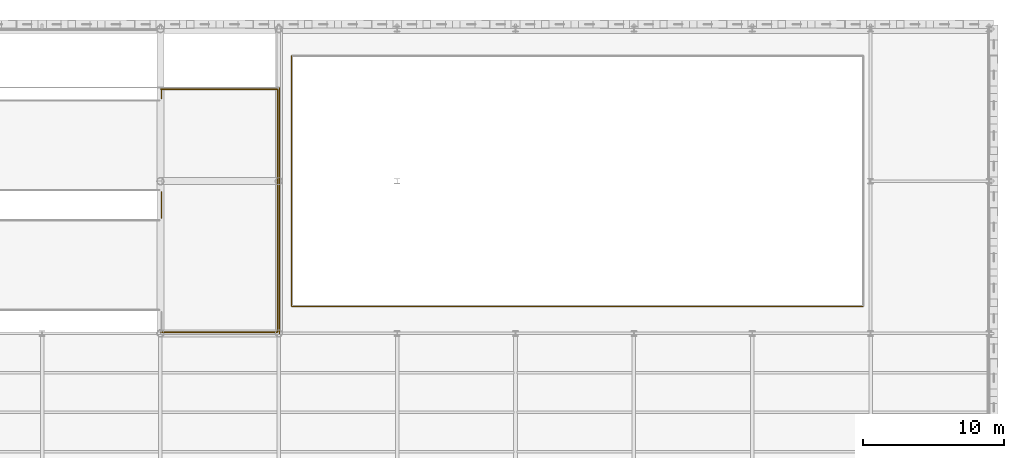
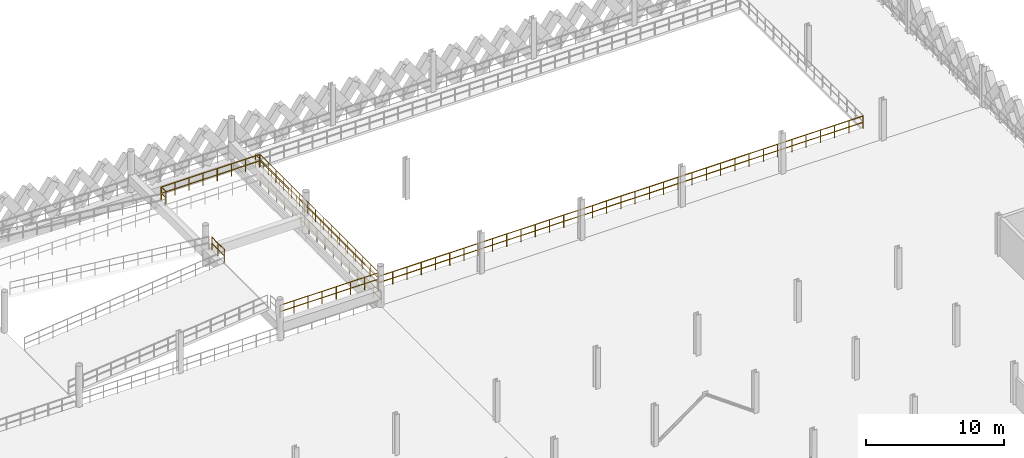
# One storey, part 75 of 79: 8 railings.
"""IFC4 building model written with IfcOpenShell, lengths in metres."""

from ifc_helpers import new_model, si_unit, direction, frame, origin, origin_2d, place, context, subcontext, project, spatial, circle, extrude, material, type_object, element, save


model = new_model("IFC4")

# Units and contexts
model_context = context("Model", 3, precision=1e-05, world=origin(), true_north=direction((0.0, 1.0)))
body_context = subcontext(model_context, "Body", "Model", "MODEL_VIEW")
ifc_project = project(units=[si_unit("LENGTHUNIT", "METRE"), si_unit("AREAUNIT", "SQUARE_METRE"), si_unit("VOLUMEUNIT", "CUBIC_METRE"), si_unit("PLANEANGLEUNIT", "RADIAN"), si_unit("MASSUNIT", "GRAM", prefix="KILO"), si_unit("THERMODYNAMICTEMPERATUREUNIT", "KELVIN"), si_unit("POWERUNIT", "WATT")], contexts=[model_context])

# Site, building, storey
site_placement = place(None, origin())
site = spatial("IfcSite", under=ifc_project, at=site_placement, CompositionType="ELEMENT")
building_placement = place(site_placement, origin())
building = spatial("IfcBuilding", under=site, at=building_placement, Name="Tembeka Court Mobility Hub", CompositionType="ELEMENT")
storey_placement = place(building_placement, frame((0.0, 0.0, 9.0)))
storey = spatial("IfcBuildingStorey", under=building, at=storey_placement, Name="L02", CompositionType="ELEMENT", Elevation=9.0)

# Railings
ifc_material = material(Name="Painted galvanised steel balustrade", Category="steel")
railing_type_1 = type_object("IfcRailingType", Name="RL-GR01", PredefinedType="GUARDRAIL", material=ifc_material)
railing_1_placement = place(storey_placement, frame((42.929931640625, 99.10009765625, 0.0)))
element("IfcRailing", 1, at=railing_1_placement, inside=storey, type_object=railing_type_1, Name="Perimeter guard GR01-0087", PredefinedType="GUARDRAIL", context=body_context, shape_type="SweptSolid", body=[
    extrude(circle(Radius=0.02392578125, at=origin_2d()), frame((0.0, 0.0, 1.09619140625), z_axis=(1.0, 0.0, 0.0), x_axis=(0.0, 1.0, 0.0)), (0.0, 0.0, 1.0), 40.5400390625),
    extrude(circle(Radius=0.02392578125, at=origin_2d()), frame((0.0, 0.0, 0.5361328125), z_axis=(1.0, 0.0, 0.0), x_axis=(0.0, 1.0, 0.0)), (0.0, 0.0, 1.0), 40.5400390625),
    extrude(circle(Radius=0.02099609375, at=origin_2d()), origin(), (0.0, 0.0, 1.0), 1.072021484375),
    extrude(circle(Radius=0.02099609375, at=origin_2d()), frame((1.1923828125, 0.0, 0.0)), (0.0, 0.0, 1.0), 1.072021484375),
    extrude(circle(Radius=0.02099609375, at=origin_2d()), frame((2.384765625, 0.0, 0.0)), (0.0, 0.0, 1.0), 1.072021484375),
    extrude(circle(Radius=0.02099609375, at=origin_2d()), frame((3.5771484375, 0.0, 0.0)), (0.0, 0.0, 1.0), 1.072021484375),
    extrude(circle(Radius=0.02099609375, at=origin_2d()), frame((4.76953125, 0.0, 0.0)), (0.0, 0.0, 1.0), 1.072021484375),
    extrude(circle(Radius=0.02099609375, at=origin_2d()), frame((5.961669921875, 0.0, 0.0)), (0.0, 0.0, 1.0), 1.072021484375),
    extrude(circle(Radius=0.02099609375, at=origin_2d()), frame((7.154052734375, 0.0, 0.0)), (0.0, 0.0, 1.0), 1.072021484375),
    extrude(circle(Radius=0.02099609375, at=origin_2d()), frame((8.346435546875, 0.0, 0.0)), (0.0, 0.0, 1.0), 1.072021484375),
    extrude(circle(Radius=0.02099609375, at=origin_2d()), frame((9.538818359375, 0.0, 0.0)), (0.0, 0.0, 1.0), 1.072021484375),
    extrude(circle(Radius=0.02099609375, at=origin_2d()), frame((10.731201171875, 0.0, 0.0)), (0.0, 0.0, 1.0), 1.072021484375),
    extrude(circle(Radius=0.02099609375, at=origin_2d()), frame((11.923583984375, 0.0, 0.0)), (0.0, 0.0, 1.0), 1.072021484375),
    extrude(circle(Radius=0.02099609375, at=origin_2d()), frame((13.115966796875, 0.0, 0.0)), (0.0, 0.0, 1.0), 1.072021484375),
    extrude(circle(Radius=0.02099609375, at=origin_2d()), frame((14.308349609375, 0.0, 0.0)), (0.0, 0.0, 1.0), 1.072021484375),
    extrude(circle(Radius=0.02099609375, at=origin_2d()), frame((15.50048828125, 0.0, 0.0)), (0.0, 0.0, 1.0), 1.072021484375),
    extrude(circle(Radius=0.02099609375, at=origin_2d()), frame((16.69287109375, 0.0, 0.0)), (0.0, 0.0, 1.0), 1.072021484375),
    extrude(circle(Radius=0.02099609375, at=origin_2d()), frame((17.88525390625, 0.0, 0.0)), (0.0, 0.0, 1.0), 1.072021484375),
    extrude(circle(Radius=0.02099609375, at=origin_2d()), frame((19.07763671875, 0.0, 0.0)), (0.0, 0.0, 1.0), 1.072021484375),
    extrude(circle(Radius=0.02099609375, at=origin_2d()), frame((20.27001953125, 0.0, 0.0)), (0.0, 0.0, 1.0), 1.072021484375),
    extrude(circle(Radius=0.02099609375, at=origin_2d()), frame((21.46240234375, 0.0, 0.0)), (0.0, 0.0, 1.0), 1.072021484375),
    extrude(circle(Radius=0.02099609375, at=origin_2d()), frame((22.65478515625, 0.0, 0.0)), (0.0, 0.0, 1.0), 1.072021484375),
    extrude(circle(Radius=0.02099609375, at=origin_2d()), frame((23.84716796875, 0.0, 0.0)), (0.0, 0.0, 1.0), 1.072021484375),
    extrude(circle(Radius=0.02099609375, at=origin_2d()), frame((25.03955078125, 0.0, 0.0)), (0.0, 0.0, 1.0), 1.072021484375),
    extrude(circle(Radius=0.02099609375, at=origin_2d()), frame((26.231689453125, 0.0, 0.0)), (0.0, 0.0, 1.0), 1.072021484375),
    extrude(circle(Radius=0.02099609375, at=origin_2d()), frame((27.424072265625, 0.0, 0.0)), (0.0, 0.0, 1.0), 1.072021484375),
    extrude(circle(Radius=0.02099609375, at=origin_2d()), frame((28.616455078125, 0.0, 0.0)), (0.0, 0.0, 1.0), 1.072021484375),
    extrude(circle(Radius=0.02099609375, at=origin_2d()), frame((29.808837890625, 0.0, 0.0)), (0.0, 0.0, 1.0), 1.072021484375),
    extrude(circle(Radius=0.02099609375, at=origin_2d()), frame((31.001220703125, 0.0, 0.0)), (0.0, 0.0, 1.0), 1.072021484375),
    extrude(circle(Radius=0.02099609375, at=origin_2d()), frame((32.193603515625, 0.0, 0.0)), (0.0, 0.0, 1.0), 1.072021484375),
    extrude(circle(Radius=0.02099609375, at=origin_2d()), frame((33.385986328125, 0.0, 0.0)), (0.0, 0.0, 1.0), 1.072021484375),
    extrude(circle(Radius=0.02099609375, at=origin_2d()), frame((34.578369140625, 0.0, 0.0)), (0.0, 0.0, 1.0), 1.072021484375),
    extrude(circle(Radius=0.02099609375, at=origin_2d()), frame((35.7705078125, 0.0, 0.0)), (0.0, 0.0, 1.0), 1.072021484375),
    extrude(circle(Radius=0.02099609375, at=origin_2d()), frame((36.962890625, 0.0, 0.0)), (0.0, 0.0, 1.0), 1.072021484375),
    extrude(circle(Radius=0.02099609375, at=origin_2d()), frame((38.1552734375, 0.0, 0.0)), (0.0, 0.0, 1.0), 1.072021484375),
    extrude(circle(Radius=0.02099609375, at=origin_2d()), frame((39.34765625, 0.0, 0.0)), (0.0, 0.0, 1.0), 1.072021484375),
    extrude(circle(Radius=0.02099609375, at=origin_2d()), frame((40.5400390625, 0.0, 0.0)), (0.0, 0.0, 1.0), 1.072021484375),
])
railing_2_placement = place(storey_placement, frame((42.89990234375, 116.8701171875, 0.0)))
element("IfcRailing", 2, at=railing_2_placement, inside=storey, type_object=railing_type_1, Name="Perimeter guard GR01-0090", PredefinedType="GUARDRAIL", context=body_context, shape_type="SweptSolid", body=[
    extrude(circle(Radius=0.02392578125, at=origin_2d()), frame((0.0, 0.0, 1.09619140625), z_axis=(0.0, -1.0, 0.0), x_axis=(1.0, 0.0, 0.0)), (0.0, 0.0, 1.0), 17.740234375),
    extrude(circle(Radius=0.02392578125, at=origin_2d()), frame((0.0, 0.0, 0.5361328125), z_axis=(0.0, -1.0, 0.0), x_axis=(1.0, 0.0, 0.0)), (0.0, 0.0, 1.0), 17.740234375),
    extrude(circle(Radius=0.02099609375, at=origin_2d()), origin(), (0.0, 0.0, 1.0), 1.072021484375),
    extrude(circle(Radius=0.02099609375, at=origin_2d()), frame((0.0, -1.1826171875, 0.0)), (0.0, 0.0, 1.0), 1.072021484375),
    extrude(circle(Radius=0.02099609375, at=origin_2d()), frame((0.0, -2.365478515625, 0.0)), (0.0, 0.0, 1.0), 1.072021484375),
    extrude(circle(Radius=0.02099609375, at=origin_2d()), frame((0.0, -3.548095703125, 0.0)), (0.0, 0.0, 1.0), 1.072021484375),
    extrude(circle(Radius=0.02099609375, at=origin_2d()), frame((0.0, -4.730712890625, 0.0)), (0.0, 0.0, 1.0), 1.072021484375),
    extrude(circle(Radius=0.02099609375, at=origin_2d()), frame((0.0, -5.913330078125, 0.0)), (0.0, 0.0, 1.0), 1.072021484375),
    extrude(circle(Radius=0.02099609375, at=origin_2d()), frame((0.0, -7.09619140625, 0.0)), (0.0, 0.0, 1.0), 1.072021484375),
    extrude(circle(Radius=0.02099609375, at=origin_2d()), frame((0.0, -8.27880859375, 0.0)), (0.0, 0.0, 1.0), 1.072021484375),
    extrude(circle(Radius=0.02099609375, at=origin_2d()), frame((0.0, -9.46142578125, 0.0)), (0.0, 0.0, 1.0), 1.072021484375),
    extrude(circle(Radius=0.02099609375, at=origin_2d()), frame((0.0, -10.64404296875, 0.0)), (0.0, 0.0, 1.0), 1.072021484375),
    extrude(circle(Radius=0.02099609375, at=origin_2d()), frame((0.0, -11.826904296875, 0.0)), (0.0, 0.0, 1.0), 1.072021484375),
    extrude(circle(Radius=0.02099609375, at=origin_2d()), frame((0.0, -13.009521484375, 0.0)), (0.0, 0.0, 1.0), 1.072021484375),
    extrude(circle(Radius=0.02099609375, at=origin_2d()), frame((0.0, -14.192138671875, 0.0)), (0.0, 0.0, 1.0), 1.072021484375),
    extrude(circle(Radius=0.02099609375, at=origin_2d()), frame((0.0, -15.374755859375, 0.0)), (0.0, 0.0, 1.0), 1.072021484375),
    extrude(circle(Radius=0.02099609375, at=origin_2d()), frame((0.0, -16.5576171875, 0.0)), (0.0, 0.0, 1.0), 1.072021484375),
    extrude(circle(Radius=0.02099609375, at=origin_2d()), frame((0.0, -17.740234375, 0.0)), (0.0, 0.0, 1.0), 1.072021484375),
])
railing_type_2 = type_object("IfcRailingType", Name="RL-GR02", PredefinedType="GUARDRAIL", material=ifc_material)
railing_3_placement = place(storey_placement, frame((42.050048828125, 97.179931640625, 0.0)))
element("IfcRailing", 3, at=railing_3_placement, inside=storey, type_object=railing_type_2, Name="Perimeter guard GR02-0192", PredefinedType="GUARDRAIL", context=body_context, shape_type="SweptSolid", body=[
    extrude(circle(Radius=0.02392578125, at=origin_2d()), frame((0.0, 0.0, 1.09619140625), z_axis=(0.0, 1.0, 0.0), x_axis=(-1.0, 0.0, 0.0)), (0.0, 0.0, 1.0), 17.440185546875),
    extrude(circle(Radius=0.02392578125, at=origin_2d()), frame((0.0, 0.0, 0.5361328125), z_axis=(0.0, 1.0, 0.0), x_axis=(-1.0, 0.0, 0.0)), (0.0, 0.0, 1.0), 17.440185546875),
    extrude(circle(Radius=0.02099609375, at=origin_2d()), origin(), (0.0, 0.0, 1.0), 1.072021484375),
    extrude(circle(Radius=0.02099609375, at=origin_2d()), frame((0.0, 1.16259765625, 0.0)), (0.0, 0.0, 1.0), 1.072021484375),
    extrude(circle(Radius=0.02099609375, at=origin_2d()), frame((0.0, 2.325439453125, 0.0)), (0.0, 0.0, 1.0), 1.072021484375),
    extrude(circle(Radius=0.02099609375, at=origin_2d()), frame((0.0, 3.488037109375, 0.0)), (0.0, 0.0, 1.0), 1.072021484375),
    extrude(circle(Radius=0.02099609375, at=origin_2d()), frame((0.0, 4.650634765625, 0.0)), (0.0, 0.0, 1.0), 1.072021484375),
    extrude(circle(Radius=0.02099609375, at=origin_2d()), frame((0.0, 5.8134765625, 0.0)), (0.0, 0.0, 1.0), 1.072021484375),
    extrude(circle(Radius=0.02099609375, at=origin_2d()), frame((0.0, 6.97607421875, 0.0)), (0.0, 0.0, 1.0), 1.072021484375),
    extrude(circle(Radius=0.02099609375, at=origin_2d()), frame((0.0, 8.138671875, 0.0)), (0.0, 0.0, 1.0), 1.072021484375),
    extrude(circle(Radius=0.02099609375, at=origin_2d()), frame((0.0, 9.301513671875, 0.0)), (0.0, 0.0, 1.0), 1.072021484375),
    extrude(circle(Radius=0.02099609375, at=origin_2d()), frame((0.0, 10.464111328125, 0.0)), (0.0, 0.0, 1.0), 1.072021484375),
    extrude(circle(Radius=0.02099609375, at=origin_2d()), frame((0.0, 11.626708984375, 0.0)), (0.0, 0.0, 1.0), 1.072021484375),
    extrude(circle(Radius=0.02099609375, at=origin_2d()), frame((0.0, 12.78955078125, 0.0)), (0.0, 0.0, 1.0), 1.072021484375),
    extrude(circle(Radius=0.02099609375, at=origin_2d()), frame((0.0, 13.9521484375, 0.0)), (0.0, 0.0, 1.0), 1.072021484375),
    extrude(circle(Radius=0.02099609375, at=origin_2d()), frame((0.0, 15.11474609375, 0.0)), (0.0, 0.0, 1.0), 1.072021484375),
    extrude(circle(Radius=0.02099609375, at=origin_2d()), frame((0.0, 16.277587890625, 0.0)), (0.0, 0.0, 1.0), 1.072021484375),
    extrude(circle(Radius=0.02099609375, at=origin_2d()), frame((0.0, 17.440185546875, 0.0)), (0.0, 0.0, 1.0), 1.072021484375),
])
railing_4_placement = place(storey_placement, frame((33.6298828125, 97.280029296875, 1.800048828125)))
element("IfcRailing", 4, at=railing_4_placement, inside=storey, type_object=railing_type_2, Name="Perimeter guard GR02-0236", PredefinedType="GUARDRAIL", context=body_context, shape_type="SweptSolid", body=[
    extrude(circle(Radius=0.02392578125, at=origin_2d()), frame((0.0, 0.0, 1.09619140625), z_axis=(1.0, 0.0, 0.0), x_axis=(0.0, 1.0, 0.0)), (0.0, 0.0, 1.0), 8.260009765625),
    extrude(circle(Radius=0.02392578125, at=origin_2d()), frame((0.0, 0.0, 0.5361328125), z_axis=(1.0, 0.0, 0.0), x_axis=(0.0, 1.0, 0.0)), (0.0, 0.0, 1.0), 8.260009765625),
    extrude(circle(Radius=0.02099609375, at=origin_2d()), origin(), (0.0, 0.0, 1.0), 1.072021484375),
    extrude(circle(Radius=0.02099609375, at=origin_2d()), frame((1.179931640625, 0.0, 0.0)), (0.0, 0.0, 1.0), 1.072021484375),
    extrude(circle(Radius=0.02099609375, at=origin_2d()), frame((2.360107421875, 0.0, 0.0)), (0.0, 0.0, 1.0), 1.072021484375),
    extrude(circle(Radius=0.02099609375, at=origin_2d()), frame((3.5400390625, 0.0, 0.0)), (0.0, 0.0, 1.0), 1.072021484375),
    extrude(circle(Radius=0.02099609375, at=origin_2d()), frame((4.719970703125, 0.0, 0.0)), (0.0, 0.0, 1.0), 1.072021484375),
    extrude(circle(Radius=0.02099609375, at=origin_2d()), frame((5.89990234375, 0.0, 0.0)), (0.0, 0.0, 1.0), 1.072021484375),
    extrude(circle(Radius=0.02099609375, at=origin_2d()), frame((7.080078125, 0.0, 0.0)), (0.0, 0.0, 1.0), 1.072021484375),
    extrude(circle(Radius=0.02099609375, at=origin_2d()), frame((8.260009765625, 0.0, 0.0)), (0.0, 0.0, 1.0), 1.072021484375),
])
railing_5_placement = place(storey_placement, frame((41.919921875, 97.31005859375, 1.800048828125)))
element("IfcRailing", 5, at=railing_5_placement, inside=storey, type_object=railing_type_2, Name="Perimeter guard GR02-0237", PredefinedType="GUARDRAIL", context=body_context, shape_type="SweptSolid", body=[
    extrude(circle(Radius=0.02392578125, at=origin_2d()), frame((0.0, 0.0, 1.09619140625), z_axis=(0.0, 1.0, 0.0), x_axis=(-1.0, 0.0, 0.0)), (0.0, 0.0, 1.0), 17.179931640625),
    extrude(circle(Radius=0.02392578125, at=origin_2d()), frame((0.0, 0.0, 0.5361328125), z_axis=(0.0, 1.0, 0.0), x_axis=(-1.0, 0.0, 0.0)), (0.0, 0.0, 1.0), 17.179931640625),
    extrude(circle(Radius=0.02099609375, at=origin_2d()), origin(), (0.0, 0.0, 1.0), 1.072021484375),
    extrude(circle(Radius=0.02099609375, at=origin_2d()), frame((0.0, 1.145263671875, 0.0)), (0.0, 0.0, 1.0), 1.072021484375),
    extrude(circle(Radius=0.02099609375, at=origin_2d()), frame((0.0, 2.290771484375, 0.0)), (0.0, 0.0, 1.0), 1.072021484375),
    extrude(circle(Radius=0.02099609375, at=origin_2d()), frame((0.0, 3.43603515625, 0.0)), (0.0, 0.0, 1.0), 1.072021484375),
    extrude(circle(Radius=0.02099609375, at=origin_2d()), frame((0.0, 4.581298828125, 0.0)), (0.0, 0.0, 1.0), 1.072021484375),
    extrude(circle(Radius=0.02099609375, at=origin_2d()), frame((0.0, 5.7265625, 0.0)), (0.0, 0.0, 1.0), 1.072021484375),
    extrude(circle(Radius=0.02099609375, at=origin_2d()), frame((0.0, 6.8720703125, 0.0)), (0.0, 0.0, 1.0), 1.072021484375),
    extrude(circle(Radius=0.02099609375, at=origin_2d()), frame((0.0, 8.017333984375, 0.0)), (0.0, 0.0, 1.0), 1.072021484375),
    extrude(circle(Radius=0.02099609375, at=origin_2d()), frame((0.0, 9.16259765625, 0.0)), (0.0, 0.0, 1.0), 1.072021484375),
    extrude(circle(Radius=0.02099609375, at=origin_2d()), frame((0.0, 10.307861328125, 0.0)), (0.0, 0.0, 1.0), 1.072021484375),
    extrude(circle(Radius=0.02099609375, at=origin_2d()), frame((0.0, 11.453369140625, 0.0)), (0.0, 0.0, 1.0), 1.072021484375),
    extrude(circle(Radius=0.02099609375, at=origin_2d()), frame((0.0, 12.5986328125, 0.0)), (0.0, 0.0, 1.0), 1.072021484375),
    extrude(circle(Radius=0.02099609375, at=origin_2d()), frame((0.0, 13.743896484375, 0.0)), (0.0, 0.0, 1.0), 1.072021484375),
    extrude(circle(Radius=0.02099609375, at=origin_2d()), frame((0.0, 14.88916015625, 0.0)), (0.0, 0.0, 1.0), 1.072021484375),
    extrude(circle(Radius=0.02099609375, at=origin_2d()), frame((0.0, 16.03466796875, 0.0)), (0.0, 0.0, 1.0), 1.072021484375),
    extrude(circle(Radius=0.02099609375, at=origin_2d()), frame((0.0, 17.179931640625, 0.0)), (0.0, 0.0, 1.0), 1.072021484375),
])
railing_6_placement = place(storey_placement, frame((41.889892578125, 114.52001953125, 1.800048828125)))
element("IfcRailing", 6, at=railing_6_placement, inside=storey, type_object=railing_type_2, Name="Perimeter guard GR02-0238", PredefinedType="GUARDRAIL", context=body_context, shape_type="SweptSolid", body=[
    extrude(circle(Radius=0.02392578125, at=origin_2d()), frame((0.0, 0.0, 1.09619140625), z_axis=(-1.0, 0.0, 0.0), x_axis=(0.0, -1.0, 0.0)), (0.0, 0.0, 1.0), 8.260009765625),
    extrude(circle(Radius=0.02392578125, at=origin_2d()), frame((0.0, 0.0, 0.5361328125), z_axis=(-1.0, 0.0, 0.0), x_axis=(0.0, -1.0, 0.0)), (0.0, 0.0, 1.0), 8.260009765625),
    extrude(circle(Radius=0.02099609375, at=origin_2d()), origin(), (0.0, 0.0, 1.0), 1.072021484375),
    extrude(circle(Radius=0.02099609375, at=origin_2d()), frame((-1.179931640625, 0.0, 0.0)), (0.0, 0.0, 1.0), 1.072021484375),
    extrude(circle(Radius=0.02099609375, at=origin_2d()), frame((-2.360107421875, 0.0, 0.0)), (0.0, 0.0, 1.0), 1.072021484375),
    extrude(circle(Radius=0.02099609375, at=origin_2d()), frame((-3.5400390625, 0.0, 0.0)), (0.0, 0.0, 1.0), 1.072021484375),
    extrude(circle(Radius=0.02099609375, at=origin_2d()), frame((-4.719970703125, 0.0, 0.0)), (0.0, 0.0, 1.0), 1.072021484375),
    extrude(circle(Radius=0.02099609375, at=origin_2d()), frame((-5.89990234375, 0.0, 0.0)), (0.0, 0.0, 1.0), 1.072021484375),
    extrude(circle(Radius=0.02099609375, at=origin_2d()), frame((-7.080078125, 0.0, 0.0)), (0.0, 0.0, 1.0), 1.072021484375),
    extrude(circle(Radius=0.02099609375, at=origin_2d()), frame((-8.260009765625, 0.0, 0.0)), (0.0, 0.0, 1.0), 1.072021484375),
])
railing_7_placement = place(storey_placement, frame((33.679931640625, 105.3798828125, 1.800048828125)))
element("IfcRailing", 7, at=railing_7_placement, inside=storey, type_object=railing_type_2, Name="Perimeter guard GR02-0240", PredefinedType="GUARDRAIL", context=body_context, shape_type="SweptSolid", body=[
    extrude(circle(Radius=0.02392578125, at=origin_2d()), frame((0.0, 0.0, 1.09619140625), z_axis=(0.0, 1.0, 0.0), x_axis=(-1.0, 0.0, 0.0)), (0.0, 0.0, 1.0), 1.840087890625),
    extrude(circle(Radius=0.02392578125, at=origin_2d()), frame((0.0, 0.0, 0.5361328125), z_axis=(0.0, 1.0, 0.0), x_axis=(-1.0, 0.0, 0.0)), (0.0, 0.0, 1.0), 1.840087890625),
    extrude(circle(Radius=0.02099609375, at=origin_2d()), origin(), (0.0, 0.0, 1.0), 1.072021484375),
    extrude(circle(Radius=0.02099609375, at=origin_2d()), frame((0.0, 0.919921875, 0.0)), (0.0, 0.0, 1.0), 1.072021484375),
    extrude(circle(Radius=0.02099609375, at=origin_2d()), frame((0.0, 1.840087890625, 0.0)), (0.0, 0.0, 1.0), 1.072021484375),
])
railing_8_placement = place(storey_placement, frame((33.679931640625, 113.8798828125, 1.800048828125)))
element("IfcRailing", 8, at=railing_8_placement, inside=storey, type_object=railing_type_2, Name="Perimeter guard GR02-0241", PredefinedType="GUARDRAIL", context=body_context, shape_type="SweptSolid", body=[
    extrude(circle(Radius=0.02392578125, at=origin_2d()), frame((0.0, 0.0, 1.09619140625), z_axis=(0.0, 1.0, 0.0), x_axis=(-1.0, 0.0, 0.0)), (0.0, 0.0, 1.0), 0.610107421875),
    extrude(circle(Radius=0.02392578125, at=origin_2d()), frame((0.0, 0.0, 0.5361328125), z_axis=(0.0, 1.0, 0.0), x_axis=(-1.0, 0.0, 0.0)), (0.0, 0.0, 1.0), 0.610107421875),
    extrude(circle(Radius=0.02099609375, at=origin_2d()), origin(), (0.0, 0.0, 1.0), 1.072021484375),
    extrude(circle(Radius=0.02099609375, at=origin_2d()), frame((0.0, 0.610107421875, 0.0)), (0.0, 0.0, 1.0), 1.072021484375),
])

save(model, "model.ifc")
